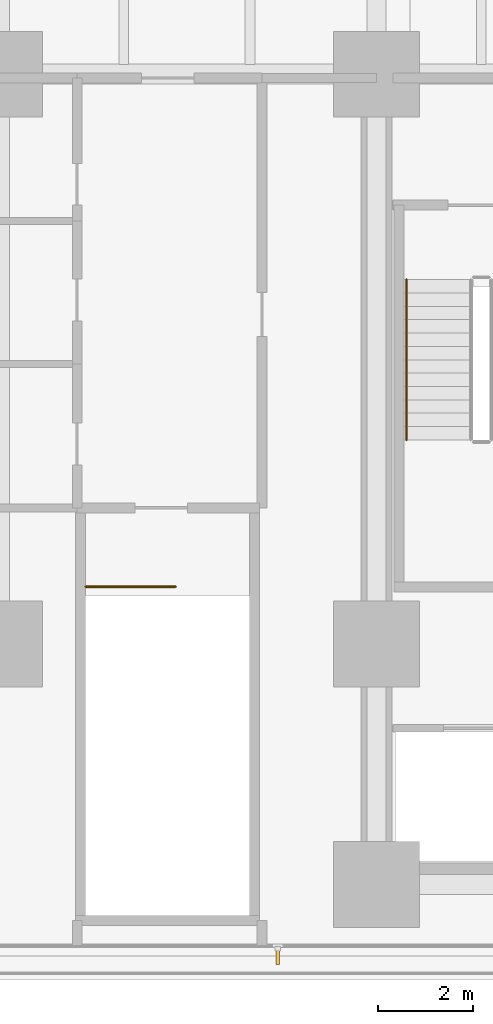
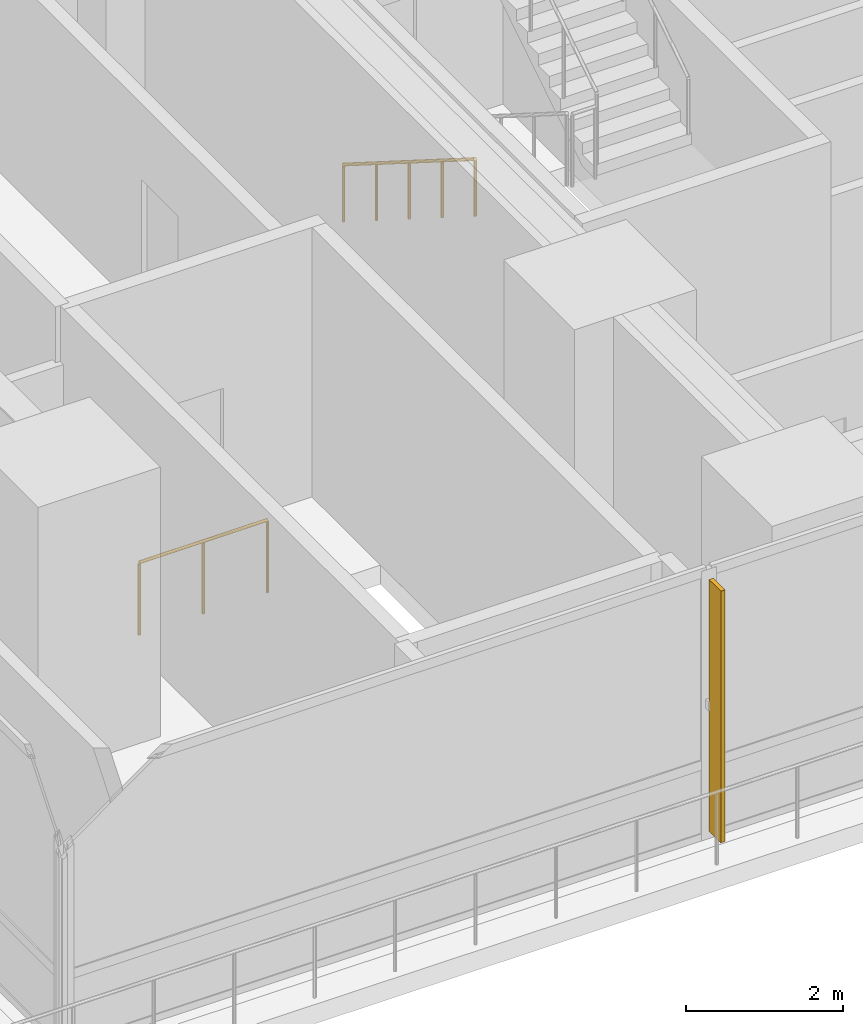
# One storey, part 14 of 21: 2 railings, 1 shading device.
"""IFC4 building model written with IfcOpenShell, lengths in metres."""

from ifc_helpers import new_model, si_unit, direction, frame, origin, origin_2d, place, context, subcontext, project, spatial, polyline, circle, outline, extrude, material, layer, layer_set, type_object, element, save


model = new_model("IFC4")

# Units and contexts
model_context = context("Model", 3, precision=1e-05, world=origin(), true_north=direction((0.0, 1.0)))
body_context = subcontext(model_context, "Body", "Model", "MODEL_VIEW")
ifc_project = project(units=[si_unit("LENGTHUNIT", "METRE"), si_unit("AREAUNIT", "SQUARE_METRE"), si_unit("VOLUMEUNIT", "CUBIC_METRE"), si_unit("PLANEANGLEUNIT", "RADIAN"), si_unit("MASSUNIT", "GRAM", prefix="KILO")], contexts=[model_context])

# Site, building, storey
site_placement = place(None, origin())
site = spatial("IfcSite", under=ifc_project, at=site_placement, CompositionType="ELEMENT")
building_placement = place(site_placement, origin())
building = spatial("IfcBuilding", under=site, at=building_placement, Name="Qalmaran Belvedere Hotel", CompositionType="ELEMENT")
storey_placement = place(building_placement, frame((0.0, 0.0, 23.800048828125)))
storey = spatial("IfcBuildingStorey", under=building, at=storey_placement, Name="L05", CompositionType="ELEMENT", Elevation=23.800048828125)

# Shading device
ifc_material_1 = material(Name="Anodised Bronze Aluminium", Category="aluminium")
ifc_layer = layer(ifc_material_1, 0.06494140625, Name="Anodised Bronze Aluminium")
ifc_layer_set = layer_set([ifc_layer], Name="Anodised Bronze Aluminium")
shading_device_type = type_object("IfcShadingDeviceType", Name="FIN-BRNZ-300", PredefinedType="USERDEFINED", material=ifc_layer_set)
shading_device_placement = place(storey_placement, frame((0.0, 0.0, 0.159912109375)))
element("IfcShadingDevice", 1, at=shading_device_placement, inside=storey, type_object=shading_device_type, Name="L05 Bronze Fin 1", ObjectType="FIN", PredefinedType="USERDEFINED", context=body_context, shape_type="SweptSolid", body=[
    extrude(outline(polyline([(18.197509765625, 2.12744140625), (18.197509765625, 1.827392578125), (18.262451171875, 1.827392578125), (18.262451171875, 2.12744140625), (18.197509765625, 2.12744140625)])), origin(), (0.0, 0.0, 1.0), 3.919921875),
])

# Railings
ifc_material_2 = material(Name="Stainless Steel 1.4401", Category="steel")
railing_type_1 = type_object("IfcRailingType", Name="RLG-STAIR-GUARD-1150", PredefinedType="GUARDRAIL", material=ifc_material_2)
railing_1_placement = place(storey_placement, frame((14.199951171875, 9.75, 0.0)))
element("IfcRailing", 2, at=railing_1_placement, inside=storey, type_object=railing_type_1, Name="L05 ST-P1 top well guard 1", PredefinedType="GUARDRAIL", context=body_context, shape_type="SweptSolid", body=[
    extrude(circle(Radius=0.02392578125, at=origin_2d()), frame((0.0, 0.0, 1.1259765625), z_axis=(1.0, 0.0, 0.0), x_axis=(0.0, 1.0, 0.0)), (0.0, 0.0, 1.0), 1.89013671875),
    extrude(circle(Radius=0.02099609375, at=origin_2d()), origin(), (0.0, 0.0, 1.0), 1.101806640625),
    extrude(circle(Radius=0.02099609375, at=origin_2d()), frame((0.945068359375, 0.0, 0.0)), (0.0, 0.0, 1.0), 1.101806640625),
    extrude(circle(Radius=0.02099609375, at=origin_2d()), frame((1.89013671875, 0.0, 0.0)), (0.0, 0.0, 1.0), 1.101806640625),
])
railing_type_2 = type_object("IfcRailingType", Name="RLG-STAIR-HAND-910", PredefinedType="HANDRAIL", material=ifc_material_2)
railing_2_placement = place(storey_placement, frame((20.929931640625, 16.18994140625, 0.1767578125)))
element("IfcRailing", 3, at=railing_2_placement, inside=storey, type_object=railing_type_2, Name="L05 ST-1 stair handrail 1", PredefinedType="HANDRAIL", context=body_context, shape_type="SweptSolid", body=[
    extrude(circle(Radius=0.02392578125, at=origin_2d()), frame((0.0, 0.0, 0.8857421875), z_axis=(0.0, -0.845344368971, 0.534221768416), x_axis=(1.0, 0.0, 0.0)), (0.0, 0.0, 1.0), 3.974609375),
    extrude(circle(Radius=0.02099609375, at=origin_2d()), origin(), (0.0, 0.0, 1.0), 0.86181640625),
    extrude(circle(Radius=0.02099609375, at=origin_2d()), frame((0.0, -0.83984375, 0.53076171875)), (0.0, 0.0, 1.0), 0.86181640625),
    extrude(circle(Radius=0.02099609375, at=origin_2d()), frame((0.0, -1.679931640625, 1.0615234375)), (0.0, 0.0, 1.0), 0.86181640625),
    extrude(circle(Radius=0.02099609375, at=origin_2d()), frame((0.0, -2.52001953125, 1.592529296875)), (0.0, 0.0, 1.0), 0.86181640625),
    extrude(circle(Radius=0.02099609375, at=origin_2d()), frame((0.0, -3.35986328125, 2.123291015625)), (0.0, 0.0, 1.0), 0.86181640625),
])

save(model, "model.ifc")
